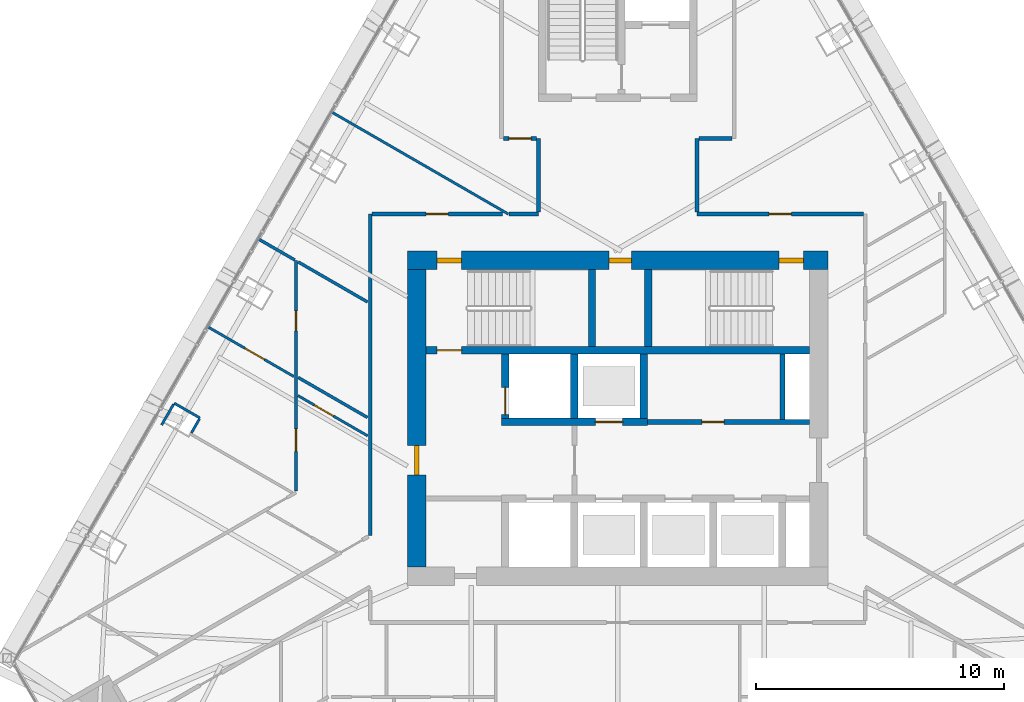
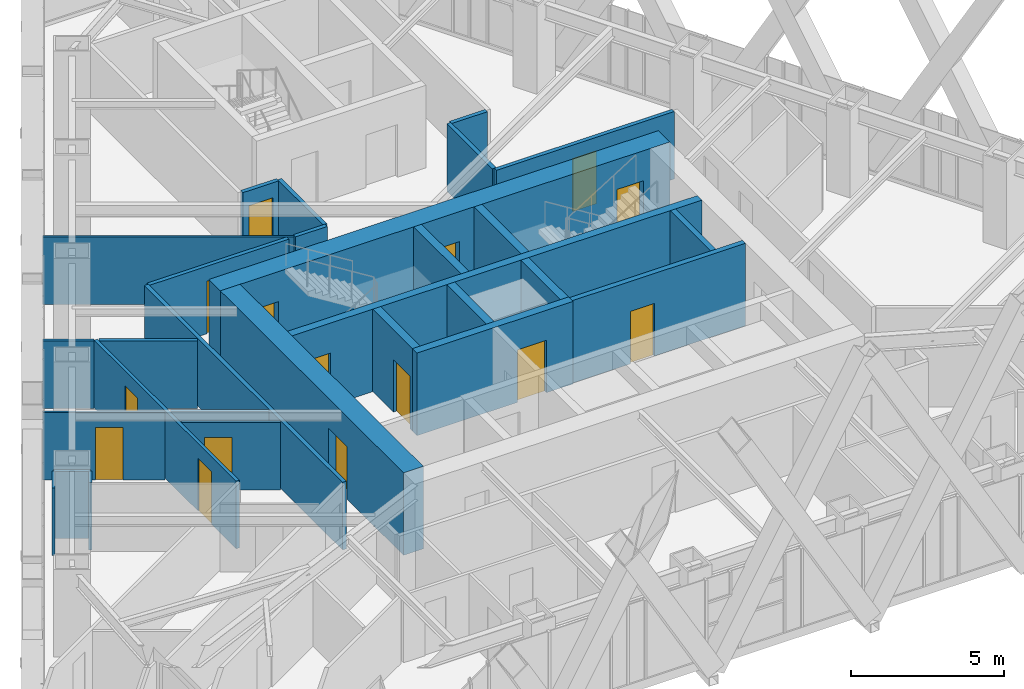
# One storey, part 19 of 23: 29 walls, 15 doors, 15 openings.
"""IFC4 building model written with IfcOpenShell, lengths in metres."""

from ifc_helpers import new_model, si_unit, direction, frame, frame_2d, origin, place, context, subcontext, project, spatial, rectangle, extrude, material, layer, layer_set, type_object, element, fill, save


model = new_model("IFC4")

# Units and contexts
model_context = context("Model", 3, precision=1e-05, world=origin(), true_north=direction((0.0, 1.0)))
body_context = subcontext(model_context, "Body", "Model", "MODEL_VIEW")
ifc_project = project(units=[si_unit("LENGTHUNIT", "METRE"), si_unit("AREAUNIT", "SQUARE_METRE"), si_unit("VOLUMEUNIT", "CUBIC_METRE"), si_unit("PLANEANGLEUNIT", "RADIAN"), si_unit("MASSUNIT", "GRAM", prefix="KILO")], contexts=[model_context])

# Site, building, storey
site_placement = place(None, origin())
site = spatial("IfcSite", under=ifc_project, at=site_placement, CompositionType="ELEMENT")
building_placement = place(site_placement, origin())
building = spatial("IfcBuilding", under=site, at=building_placement, Name="Firuza Gate Tower and Library", CompositionType="ELEMENT")
storey_placement = place(building_placement, frame((0.0, 0.0, 312.60009765625)))
storey = spatial("IfcBuildingStorey", under=building, at=storey_placement, Name="L76", CompositionType="ELEMENT", Elevation=312.60009765625)

# Wall, opening, door
ifc_material_1 = material(Name="Plasterboard on steel studs", Category="steel")
ifc_layer_1 = layer(ifc_material_1, 0.199951171875)
ifc_layer_set_1 = layer_set([ifc_layer_1], Name="Core partition 200 EI 120")
wall_type_1 = type_object("IfcWallType", Name="Core partition 200 EI 120", PredefinedType="PARTITIONING", material=ifc_layer_set_1)
wall_1_placement = place(storey_placement, frame((76.199951171875, 74.85009765625, 0.0), z_axis=(0.0, 0.0, 1.0), x_axis=(1.0, 0.0, 0.0)))
wall_1 = element("IfcWall", 1, at=wall_1_placement, inside=storey, type_object=wall_type_1, Name="Core partition L76 3", PredefinedType="PARTITIONING", context=body_context, shape_type="SweptSolid", body=[
    extrude(rectangle(XDim=6.550048828125, YDim=0.199951171875, at=frame_2d((3.27490234375, 0.0))), origin(), (0.0, 0.0, 1.0), 3.2998046875),
])
opening_1_placement = place(wall_1_placement, frame((2.199951171875, 0.0, 0.0)))
opening_1 = element("IfcOpeningElement", 2, at=opening_1_placement, cuts=wall_1, Name="Opening L76-K18", PredefinedType="OPENING", context=body_context, shape_type="SweptSolid", body=[
    extrude(rectangle(XDim=0.89990234375, YDim=2.10009765625, at=frame_2d((0.449951171875, 1.050048828125))), frame((0.0, 0.10986328125, 0.0), z_axis=(0.0, -1.0, 0.0), x_axis=(1.0, 0.0, 0.0)), (0.0, 0.0, 1.0), 0.219970703125),
])
ifc_material_2 = material(Name="Steel", Category="steel")
door_type_1 = type_object("IfcDoorType", Name="Fire door 900x2100 FD30S", OperationType="NOTDEFINED", PredefinedType="DOOR", material=ifc_material_2)
door_1_placement = place(opening_1_placement, origin())
door_1 = element("IfcDoor", 3, at=door_1_placement, inside=storey, type_object=door_type_1, Name="Door L76-K18", OperationType="SINGLE_SWING_LEFT", OverallHeight=2.10009765625, OverallWidth=0.89990234375, PredefinedType="DOOR", context=body_context, shape_type="SweptSolid", body=[
    extrude(rectangle(XDim=0.89990234375, YDim=2.10009765625, at=frame_2d((0.449951171875, 1.050048828125))), frame((0.0, 0.02490234375, 0.0), z_axis=(0.0, -1.0, 0.0), x_axis=(1.0, 0.0, 0.0)), (0.0, 0.0, 1.0), 0.050048828125),
])
fill(opening_1, door_1)

# Wall
wall_2_placement = place(storey_placement, frame((81.64990234375, 74.949951171875, 0.0), z_axis=(0.0, 0.0, 1.0), x_axis=(0.0, 1.0, 0.0)))
element("IfcWall", 4, at=wall_2_placement, inside=storey, type_object=wall_type_1, Name="Core partition L76 5", PredefinedType="PARTITIONING", context=body_context, shape_type="SweptSolid", body=[
    extrude(rectangle(XDim=2.650146484375, YDim=0.199951171875, at=frame_2d((1.3251953125, 0.0))), origin(), (0.0, 0.0, 1.0), 3.2998046875),
])

# Wall, opening, door
ifc_material_3 = material(Name="Concrete C60/75", Category="concrete")
ifc_layer_2 = layer(ifc_material_3, 0.300048828125)
ifc_layer_set_2 = layer_set([ifc_layer_2], Name="Core wall 300 C60/75")
wall_type_2 = type_object("IfcWallType", Name="Core wall 300 C60/75", PredefinedType="SHEAR", material=ifc_layer_set_2)
wall_3_placement = place(storey_placement, frame((70.300048828125, 74.85009765625, 0.0), z_axis=(0.0, 0.0, 1.0), x_axis=(1.0, 0.0, 0.0)))
wall_3 = element("IfcWall", 5, at=wall_3_placement, inside=storey, type_object=wall_type_2, Name="Core wall L76 6", PredefinedType="SHEAR", context=body_context, shape_type="SweptSolid", body=[
    extrude(rectangle(XDim=5.89990234375, YDim=0.300048828125, at=frame_2d((2.949951171875, 0.0))), origin(), (0.0, 0.0, 1.0), 3.2998046875),
])
opening_2_placement = place(wall_3_placement, frame((3.800048828125, 0.0, 0.0)))
opening_2 = element("IfcOpeningElement", 6, at=opening_2_placement, cuts=wall_3, Name="Opening LD-HR4-L76", PredefinedType="OPENING", context=body_context, shape_type="SweptSolid", body=[
    extrude(rectangle(XDim=1.10009765625, YDim=2.10009765625, at=frame_2d((0.550048828125, 1.050048828125))), frame((0.0, 0.16015625, 0.0), z_axis=(0.0, -1.0, 0.0), x_axis=(1.0, 0.0, 0.0)), (0.0, 0.0, 1.0), 0.320068359375),
])
ifc_material_4 = material(Name="Stainless steel", Category="steel")
door_type_2 = type_object("IfcDoorType", Name="Lift landing door 1100x2100", OperationType="DOUBLE_DOOR_SLIDING", PredefinedType="DOOR", material=ifc_material_4)
door_2_placement = place(opening_2_placement, origin())
door_2 = element("IfcDoor", 7, at=door_2_placement, inside=storey, type_object=door_type_2, Name="Landing door HR4 L76", OperationType="DOUBLE_DOOR_SLIDING", OverallHeight=2.10009765625, OverallWidth=1.10009765625, PredefinedType="DOOR", context=body_context, shape_type="SweptSolid", body=[
    extrude(rectangle(XDim=1.10009765625, YDim=2.10009765625, at=frame_2d((0.550048828125, 1.050048828125))), frame((0.0, 0.02490234375, 0.0), z_axis=(0.0, -1.0, 0.0), x_axis=(1.0, 0.0, 0.0)), (0.0, 0.0, 1.0), 0.050048828125),
])
fill(opening_2, door_2)

wall_4_placement = place(storey_placement, frame((70.449951171875, 75.0, 0.0), z_axis=(0.0, 0.0, 1.0), x_axis=(0.0, 1.0, 0.0)))
wall_4 = element("IfcWall", 8, at=wall_4_placement, inside=storey, type_object=wall_type_2, Name="Core wall L76 8", PredefinedType="SHEAR", context=body_context, shape_type="SweptSolid", body=[
    extrude(rectangle(XDim=2.60009765625, YDim=0.300048828125, at=frame_2d((1.300048828125, 0.0))), origin(), (0.0, 0.0, 1.0), 3.2998046875),
])
opening_3_placement = place(wall_4_placement, frame((0.14990234375, 0.0, 0.0)))
opening_3 = element("IfcOpeningElement", 9, at=opening_3_placement, cuts=wall_4, Name="Opening LD-FF2-L76", PredefinedType="OPENING", context=body_context, shape_type="SweptSolid", body=[
    extrude(rectangle(XDim=1.10009765625, YDim=2.10009765625, at=frame_2d((0.550048828125, 1.050048828125))), frame((0.0, 0.16015625, 0.0), z_axis=(0.0, -1.0, 0.0), x_axis=(1.0, 0.0, 0.0)), (0.0, 0.0, 1.0), 0.320068359375),
])
door_3_placement = place(opening_3_placement, origin())
door_3 = element("IfcDoor", 10, at=door_3_placement, inside=storey, type_object=door_type_2, Name="Landing door FF2 L76", OperationType="DOUBLE_DOOR_SLIDING", OverallHeight=2.10009765625, OverallWidth=1.10009765625, PredefinedType="DOOR", context=body_context, shape_type="SweptSolid", body=[
    extrude(rectangle(XDim=1.10009765625, YDim=2.10009765625, at=frame_2d((0.550048828125, 1.050048828125))), frame((0.0, 0.02490234375, 0.0), z_axis=(0.0, -1.0, 0.0), x_axis=(1.0, 0.0, 0.0)), (0.0, 0.0, 1.0), 0.050048828125),
])
fill(opening_3, door_3)

# Walls
for number, where, z_axis, x_axis, name in (
    (11, (73.25, 75.0, 0.0), (0.0, 0.0, 1.0), (0.0, 1.0, 0.0), "Core wall L76 10"),
    (12, (76.050048828125, 75.0, 0.0), (0.0, 0.0, 1.0), (0.0, 1.0, 0.0), "Core wall L76 12"),
):
    element("IfcWall", number, at=place(storey_placement, frame(where, z_axis=z_axis, x_axis=x_axis)), inside=storey, type_object=wall_type_2, Name=name, PredefinedType="SHEAR", context=body_context, shape_type="SweptSolid", body=[
        extrude(rectangle(XDim=2.60009765625, YDim=0.300048828125, at=frame_2d((1.300048828125, 0.0))), origin(), (0.0, 0.0, 1.0), 3.2998046875),
    ])

# Wall, opening, door
wall_5_placement = place(storey_placement, frame((67.25, 77.75, 0.0), z_axis=(0.0, 0.0, 1.0), x_axis=(1.0, 0.0, 0.0)))
wall_5 = element("IfcWall", 13, at=wall_5_placement, inside=storey, type_object=wall_type_2, Name="Core wall L76 15", PredefinedType="SHEAR", context=body_context, shape_type="SweptSolid", body=[
    extrude(rectangle(XDim=15.5, YDim=0.300048828125, at=frame_2d((7.75, 0.0))), origin(), (0.0, 0.0, 1.0), 3.2998046875),
])
opening_4_placement = place(wall_5_placement, frame((0.445068359375, 0.0, 0.0)))
opening_4 = element("IfcOpeningElement", 14, at=opening_4_placement, cuts=wall_5, Name="Opening L76-K08", PredefinedType="OPENING", context=body_context, shape_type="SweptSolid", body=[
    extrude(rectangle(XDim=1.0, YDim=2.10009765625, at=frame_2d((0.5, 1.050048828125))), frame((0.0, 0.16015625, 0.0), z_axis=(0.0, -1.0, 0.0), x_axis=(1.0, 0.0, 0.0)), (0.0, 0.0, 1.0), 0.320068359375),
])
ifc_material_5 = material(Name="Steel", Category="steel")
door_type_3 = type_object("IfcDoorType", Name="Fire door 1000x2100 FD90", OperationType="NOTDEFINED", PredefinedType="DOOR", material=ifc_material_5)
door_4_placement = place(opening_4_placement, origin())
door_4 = element("IfcDoor", 15, at=door_4_placement, inside=storey, type_object=door_type_3, Name="Door L76-K08", OperationType="SINGLE_SWING_LEFT", OverallHeight=2.10009765625, OverallWidth=1.0, PredefinedType="DOOR", context=body_context, shape_type="SweptSolid", body=[
    extrude(rectangle(XDim=1.0, YDim=2.10009765625, at=frame_2d((0.5, 1.050048828125))), frame((0.0, 0.02490234375, 0.0), z_axis=(0.0, -1.0, 0.0), x_axis=(1.0, 0.0, 0.0)), (0.0, 0.0, 1.0), 0.050048828125),
])
fill(opening_4, door_4)

# Walls
for number, where, z_axis, x_axis, name in (
    (16, (73.9599609375, 77.89990234375, 0.0), (0.0, 0.0, 1.0), (0.0, 1.0, 0.0), "Core wall L76 16"),
    (17, (76.239990234375, 77.89990234375, 0.0), (0.0, 0.0, 1.0), (0.0, 1.0, 0.0), "Core wall L76 17"),
):
    element("IfcWall", number, at=place(storey_placement, frame(where, z_axis=z_axis, x_axis=x_axis)), inside=storey, type_object=wall_type_2, Name=name, PredefinedType="SHEAR", context=body_context, shape_type="SweptSolid", body=[
        extrude(rectangle(XDim=3.10009765625, YDim=0.300048828125, at=frame_2d((1.550048828125, 0.0))), origin(), (0.0, 0.0, 1.0), 3.2998046875),
    ])

# Wall, openings, doors
ifc_material_6 = material(Name="Concrete C60/75", Category="concrete")
ifc_layer_3 = layer(ifc_material_6, 0.75)
ifc_layer_set_3 = layer_set([ifc_layer_3], Name="Core wall 750 C60/75")
wall_type_3 = type_object("IfcWallType", Name="Core wall 750 C60/75", PredefinedType="SHEAR", material=ifc_layer_set_3)
wall_6_placement = place(storey_placement, frame((66.5, 81.375, 0.0), z_axis=(0.0, 0.0, 1.0), x_axis=(1.0, 0.0, 0.0)))
wall_6 = element("IfcWall", 18, at=wall_6_placement, inside=storey, type_object=wall_type_3, Name="Core wall L76 2", PredefinedType="SHEAR", context=body_context, shape_type="SweptSolid", body=[
    extrude(rectangle(XDim=17.0, YDim=0.75, at=frame_2d((8.5, 0.0))), origin(), (0.0, 0.0, 1.0), 3.2998046875),
])
opening_5_placement = place(wall_6_placement, frame((1.195068359375, 0.0, 0.0)))
opening_5 = element("IfcOpeningElement", 19, at=opening_5_placement, cuts=wall_6, Name="Opening L76-K09", PredefinedType="OPENING", context=body_context, shape_type="SweptSolid", body=[
    extrude(rectangle(XDim=1.0, YDim=2.10009765625, at=frame_2d((0.5, 1.050048828125))), frame((0.0, 0.385009765625, 0.0), z_axis=(0.0, -1.0, 0.0), x_axis=(1.0, 0.0, 0.0)), (0.0, 0.0, 1.0), 0.77001953125),
])
opening_6_placement = place(wall_6_placement, frame((15.0048828125, 0.0, 0.0)))
opening_6 = element("IfcOpeningElement", 20, at=opening_6_placement, cuts=wall_6, Name="Opening L76-K10", PredefinedType="OPENING", context=body_context, shape_type="SweptSolid", body=[
    extrude(rectangle(XDim=1.0, YDim=2.10009765625, at=frame_2d((0.5, 1.050048828125))), frame((0.0, 0.385009765625, 0.0), z_axis=(0.0, -1.0, 0.0), x_axis=(1.0, 0.0, 0.0)), (0.0, 0.0, 1.0), 0.77001953125),
])
opening_7_placement = place(wall_6_placement, frame((8.14990234375, 0.0, 0.0)))
opening_7 = element("IfcOpeningElement", 21, at=opening_7_placement, cuts=wall_6, Name="Opening L76-K19", PredefinedType="OPENING", context=body_context, shape_type="SweptSolid", body=[
    extrude(rectangle(XDim=0.89990234375, YDim=2.10009765625, at=frame_2d((0.449951171875, 1.050048828125))), frame((0.0, 0.385009765625, 0.0), z_axis=(0.0, -1.0, 0.0), x_axis=(1.0, 0.0, 0.0)), (0.0, 0.0, 1.0), 0.77001953125),
])
door_5_placement = place(opening_5_placement, origin())
door_5 = element("IfcDoor", 22, at=door_5_placement, inside=storey, type_object=door_type_3, Name="Door L76-K09", OperationType="SINGLE_SWING_RIGHT", OverallHeight=2.10009765625, OverallWidth=1.0, PredefinedType="DOOR", context=body_context, shape_type="SweptSolid", body=[
    extrude(rectangle(XDim=1.0, YDim=2.10009765625, at=frame_2d((0.5, 1.050048828125))), frame((0.0, 0.094970703125, 0.0), z_axis=(0.0, -1.0, 0.0), x_axis=(1.0, 0.0, 0.0)), (0.0, 0.0, 1.0), 0.18994140625),
])
fill(opening_5, door_5)
door_6_placement = place(opening_6_placement, origin())
door_6 = element("IfcDoor", 23, at=door_6_placement, inside=storey, type_object=door_type_3, Name="Door L76-K10", OperationType="SINGLE_SWING_LEFT", OverallHeight=2.10009765625, OverallWidth=1.0, PredefinedType="DOOR", context=body_context, shape_type="SweptSolid", body=[
    extrude(rectangle(XDim=1.0, YDim=2.10009765625, at=frame_2d((0.5, 1.050048828125))), frame((0.0, 0.094970703125, 0.0), z_axis=(0.0, -1.0, 0.0), x_axis=(1.0, 0.0, 0.0)), (0.0, 0.0, 1.0), 0.18994140625),
])
fill(opening_6, door_6)
door_7_placement = place(opening_7_placement, origin())
door_7 = element("IfcDoor", 24, at=door_7_placement, inside=storey, type_object=door_type_1, Name="Door L76-K19", OperationType="SINGLE_SWING_RIGHT", OverallHeight=2.10009765625, OverallWidth=0.89990234375, PredefinedType="DOOR", context=body_context, shape_type="SweptSolid", body=[
    extrude(rectangle(XDim=0.89990234375, YDim=2.10009765625, at=frame_2d((0.449951171875, 1.050048828125))), frame((0.0, 0.094970703125, 0.0), z_axis=(0.0, -1.0, 0.0), x_axis=(1.0, 0.0, 0.0)), (0.0, 0.0, 1.0), 0.18994140625),
])
fill(opening_7, door_7)

# Wall, opening, door
wall_7_placement = place(storey_placement, frame((66.875, 69.0, 0.0), z_axis=(0.0, 0.0, 1.0), x_axis=(0.0, 1.0, 0.0)))
wall_7 = element("IfcWall", 25, at=wall_7_placement, inside=storey, type_object=wall_type_3, Name="Core wall L76 3", PredefinedType="SHEAR", context=body_context, shape_type="SweptSolid", body=[
    extrude(rectangle(XDim=12.0, YDim=0.75, at=frame_2d((6.0, 0.0))), origin(), (0.0, 0.0, 1.0), 3.2998046875),
])
opening_8_placement = place(wall_7_placement, frame((3.699951171875, 0.0, 0.0)))
opening_8 = element("IfcOpeningElement", 26, at=opening_8_placement, cuts=wall_7, Name="Opening L76-K15", PredefinedType="OPENING", context=body_context, shape_type="SweptSolid", body=[
    extrude(rectangle(XDim=1.199951171875, YDim=2.10009765625, at=frame_2d((0.60009765625, 1.050048828125))), frame((0.0, 0.385009765625, 0.0), z_axis=(0.0, -1.0, 0.0), x_axis=(1.0, 0.0, 0.0)), (0.0, 0.0, 1.0), 0.77001953125),
])
ifc_material_7 = material(Name="Steel", Category="steel")
door_type_4 = type_object("IfcDoorType", Name="Fire door 1200x2100 FD90S", OperationType="NOTDEFINED", PredefinedType="DOOR", material=ifc_material_7)
door_8_placement = place(opening_8_placement, origin())
door_8 = element("IfcDoor", 27, at=door_8_placement, inside=storey, type_object=door_type_4, Name="Door L76-K15", OperationType="SINGLE_SWING_RIGHT", OverallHeight=2.10009765625, OverallWidth=1.199951171875, PredefinedType="DOOR", context=body_context, shape_type="SweptSolid", body=[
    extrude(rectangle(XDim=1.199951171875, YDim=2.10009765625, at=frame_2d((0.60009765625, 1.050048828125))), frame((0.0, 0.094970703125, 0.0), z_axis=(0.0, -1.0, 0.0), x_axis=(1.0, 0.0, 0.0)), (0.0, 0.0, 1.0), 0.18994140625),
])
fill(opening_8, door_8)

ifc_material_8 = material(Name="Gypsum board partition")
ifc_layer_4 = layer(ifc_material_8, 0.14990234375)
ifc_layer_set_4 = layer_set([ifc_layer_4], Name="Corridor wall 150 double board on steel studs")
wall_type_4 = type_object("IfcWallType", Name="Corridor wall 150 double board on steel studs", PredefinedType="PARTITIONING", material=ifc_layer_set_4)
wall_8_placement = place(storey_placement, frame((65.075439453125, 83.25, 0.0), z_axis=(0.0, 0.0, 1.0), x_axis=(1.0, 0.0, 0.0)))
wall_8 = element("IfcWall", 28, at=wall_8_placement, inside=storey, type_object=wall_type_4, Name="f:L76:w005", PredefinedType="PARTITIONING", context=body_context, shape_type="SweptSolid", body=[
    extrude(rectangle(XDim=5.271484375, YDim=0.14990234375, at=frame_2d((2.6357421875, 0.0))), origin(), (0.0, 0.0, 1.0), 2.699951171875),
])
opening_9_placement = place(wall_8_placement, frame((2.185791015625, 0.0, 0.0)))
opening_9 = element("IfcOpeningElement", 29, at=opening_9_placement, cuts=wall_8, Name="Opening L76-06", PredefinedType="OPENING", context=body_context, shape_type="SweptSolid", body=[
    extrude(rectangle(XDim=0.89990234375, YDim=2.10009765625, at=frame_2d((0.449951171875, 1.050048828125))), frame((0.0, 0.0849609375, 0.0), z_axis=(0.0, -1.0, 0.0), x_axis=(1.0, 0.0, 0.0)), (0.0, 0.0, 1.0), 0.169921875),
])
ifc_material_9 = material(Name="Steel door and timber leaf", Category="steel")
door_type_5 = type_object("IfcDoorType", Name="Fire door 900 x 2100 steel frame, timber leaf", OperationType="NOTDEFINED", PredefinedType="DOOR", material=ifc_material_9)
door_9_placement = place(opening_9_placement, origin())
door_9 = element("IfcDoor", 30, at=door_9_placement, inside=storey, type_object=door_type_5, Name="f:L76:d006", OperationType="SINGLE_SWING_RIGHT", OverallHeight=2.10009765625, OverallWidth=0.89990234375, PredefinedType="DOOR", context=body_context, shape_type="SweptSolid", body=[
    extrude(rectangle(XDim=0.89990234375, YDim=2.10009765625, at=frame_2d((0.449951171875, 1.050048828125))), frame((0.0, 0.02490234375, 0.0), z_axis=(0.0, -1.0, 0.0), x_axis=(1.0, 0.0, 0.0)), (0.0, 0.0, 1.0), 0.050048828125),
])
fill(opening_9, door_9)

wall_9_placement = place(storey_placement, frame((78.199951171875, 83.25, 0.0), z_axis=(0.0, 0.0, 1.0), x_axis=(1.0, 0.0, 0.0)))
wall_9 = element("IfcWall", 31, at=wall_9_placement, inside=storey, type_object=wall_type_4, Name="f:L76:w006", PredefinedType="PARTITIONING", context=body_context, shape_type="SweptSolid", body=[
    extrude(rectangle(XDim=6.72314453125, YDim=0.14990234375, at=frame_2d((3.361572265625, 0.0))), origin(), (0.0, 0.0, 1.0), 2.699951171875),
])
opening_10_placement = place(wall_9_placement, frame((2.911376953125, 0.0, 0.0)))
opening_10 = element("IfcOpeningElement", 32, at=opening_10_placement, cuts=wall_9, Name="Opening L76-07", PredefinedType="OPENING", context=body_context, shape_type="SweptSolid", body=[
    extrude(rectangle(XDim=0.89990234375, YDim=2.10009765625, at=frame_2d((0.449951171875, 1.050048828125))), frame((0.0, 0.0849609375, 0.0), z_axis=(0.0, -1.0, 0.0), x_axis=(1.0, 0.0, 0.0)), (0.0, 0.0, 1.0), 0.169921875),
])
door_10_placement = place(opening_10_placement, origin())
door_10 = element("IfcDoor", 33, at=door_10_placement, inside=storey, type_object=door_type_5, Name="f:L76:d007", OperationType="SINGLE_SWING_RIGHT", OverallHeight=2.10009765625, OverallWidth=0.89990234375, PredefinedType="DOOR", context=body_context, shape_type="SweptSolid", body=[
    extrude(rectangle(XDim=0.89990234375, YDim=2.10009765625, at=frame_2d((0.449951171875, 1.050048828125))), frame((0.0, 0.02490234375, 0.0), z_axis=(0.0, -1.0, 0.0), x_axis=(1.0, 0.0, 0.0)), (0.0, 0.0, 1.0), 0.050048828125),
])
fill(opening_10, door_10)

wall_10_placement = place(storey_placement, frame((70.37548828125, 86.300048828125, 0.0), z_axis=(0.0, 0.0, 1.0), x_axis=(1.0, 0.0, 0.0)))
wall_10 = element("IfcWall", 34, at=wall_10_placement, inside=storey, type_object=wall_type_4, Name="f:L76:w007", PredefinedType="PARTITIONING", context=body_context, shape_type="SweptSolid", body=[
    extrude(rectangle(XDim=1.349365234375, YDim=0.14990234375, at=frame_2d((0.6748046875, 0.0))), origin(), (0.0, 0.0, 1.0), 2.699951171875),
])
opening_11_placement = place(wall_10_placement, frame((0.224609375, 0.0, 0.0)))
opening_11 = element("IfcOpeningElement", 35, at=opening_11_placement, cuts=wall_10, Name="Opening L76-08", PredefinedType="OPENING", context=body_context, shape_type="SweptSolid", body=[
    extrude(rectangle(XDim=0.89990234375, YDim=2.10009765625, at=frame_2d((0.449951171875, 1.050048828125))), frame((0.0, 0.0849609375, 0.0), z_axis=(0.0, -1.0, 0.0), x_axis=(1.0, 0.0, 0.0)), (0.0, 0.0, 1.0), 0.169921875),
])
door_11_placement = place(opening_11_placement, origin())
door_11 = element("IfcDoor", 36, at=door_11_placement, inside=storey, type_object=door_type_5, Name="f:L76:d008", OperationType="SINGLE_SWING_LEFT", OverallHeight=2.10009765625, OverallWidth=0.89990234375, PredefinedType="DOOR", context=body_context, shape_type="SweptSolid", body=[
    extrude(rectangle(XDim=0.89990234375, YDim=2.10009765625, at=frame_2d((0.449951171875, 1.050048828125))), frame((0.0, 0.02490234375, 0.0), z_axis=(0.0, -1.0, 0.0), x_axis=(1.0, 0.0, 0.0)), (0.0, 0.0, 1.0), 0.050048828125),
])
fill(opening_11, door_11)

# Walls
wall_11_placement = place(storey_placement, frame((78.275146484375, 86.300048828125, 0.0), z_axis=(0.0, 0.0, 1.0), x_axis=(1.0, 0.0, 0.0)))
element("IfcWall", 37, at=wall_11_placement, inside=storey, type_object=wall_type_4, Name="f:L76:w008", PredefinedType="PARTITIONING", context=body_context, shape_type="SweptSolid", body=[
    extrude(rectangle(XDim=1.347900390625, YDim=0.14990234375, at=frame_2d((0.673828125, 0.0))), origin(), (0.0, 0.0, 1.0), 2.699951171875),
])
for number, where, z_axis, x_axis, name in (
    (38, (78.199951171875, 83.324951171875, 0.0), (0.0, 0.0, 1.0), (0.0, 1.0, 0.0), "f:L76:w036"),
    (39, (71.800048828125, 83.324951171875, 0.0), (0.0, 0.0, 1.0), (0.0, 1.0, 0.0), "f:L76:w039"),
):
    element("IfcWall", number, at=place(storey_placement, frame(where, z_axis=z_axis, x_axis=x_axis)), inside=storey, type_object=wall_type_4, Name=name, PredefinedType="PARTITIONING", context=body_context, shape_type="SweptSolid", body=[
        extrude(rectangle(XDim=2.97509765625, YDim=0.14990234375, at=frame_2d((1.487548828125, 0.0))), origin(), (0.0, 0.0, 1.0), 2.699951171875),
    ])
wall_12_placement = place(storey_placement, frame((65.0, 70.265625, 0.0), z_axis=(0.0, 0.0, 1.0), x_axis=(0.0, 1.0, 0.0)))
element("IfcWall", 40, at=wall_12_placement, inside=storey, type_object=wall_type_4, Name="f:L76:w046", PredefinedType="PARTITIONING", context=body_context, shape_type="SweptSolid", body=[
    extrude(rectangle(XDim=12.98388671875, YDim=0.14990234375, at=frame_2d((6.491943359375, 0.0))), origin(), (0.0, 0.0, 1.0), 2.699951171875),
])
wall_13_placement = place(storey_placement, frame((70.60205078125, 83.25, 0.0), z_axis=(0.0, 0.0, 1.0), x_axis=(1.0, 0.0, 0.0)))
element("IfcWall", 41, at=wall_13_placement, inside=storey, type_object=wall_type_4, Name="f:L76:w065", PredefinedType="PARTITIONING", context=body_context, shape_type="SweptSolid", body=[
    extrude(rectangle(XDim=1.197998046875, YDim=0.14990234375, at=frame_2d((0.59912109375, 0.0))), origin(), (0.0, 0.0, 1.0), 2.699951171875),
])
ifc_material_10 = material(Name="Gypsum board partition")
ifc_layer_5 = layer(ifc_material_10, 0.10009765625)
ifc_layer_set_5 = layer_set([ifc_layer_5], Name="Partition 100 gypsum board on steel studs")
wall_type_5 = type_object("IfcWallType", Name="Partition 100 gypsum board on steel studs", PredefinedType="PARTITIONING", material=ifc_layer_set_5)
wall_14_placement = place(storey_placement, frame((57.775634765625, 74.406494140625, 0.0), z_axis=(0.0, 0.0, 1.0), x_axis=(0.500246099629, 0.865883271467, 0.0)))
element("IfcWall", 42, at=wall_14_placement, inside=storey, type_object=wall_type_5, Name="f:L76:w024", PredefinedType="PARTITIONING", context=body_context, shape_type="SweptSolid", body=[
    extrude(rectangle(XDim=0.645751953125, YDim=0.10009765625, at=frame_2d((0.32275390625, 0.0))), origin(), (0.0, 0.0, 1.0), 2.699951171875),
])
wall_15_placement = place(storey_placement, frame((56.576171875, 74.72900390625, 0.0), z_axis=(0.0, 0.0, 1.0), x_axis=(0.500079715141, 0.865979375335, 0.0)))
element("IfcWall", 43, at=wall_15_placement, inside=storey, type_object=wall_type_5, Name="f:L76:w025", PredefinedType="PARTITIONING", context=body_context, shape_type="SweptSolid", body=[
    extrude(rectangle(XDim=0.966064453125, YDim=0.10009765625, at=frame_2d((0.48291015625, 0.0))), origin(), (0.0, 0.0, 1.0), 2.699951171875),
])
wall_16_placement = place(storey_placement, frame((70.5771484375, 83.249755859375, 0.0), z_axis=(0.0, 0.0, 1.0), x_axis=(-0.866020477552, 0.500008532388, 0.0)))
element("IfcWall", 44, at=wall_16_placement, inside=storey, type_object=wall_type_5, Name="f:L76:w051", PredefinedType="PARTITIONING", context=body_context, shape_type="SweptSolid", body=[
    extrude(rectangle(XDim=8.224365234375, YDim=0.10009765625, at=frame_2d((4.1123046875, 0.0))), origin(), (0.0, 0.0, 1.0), 2.68798828125),
])

# Wall, opening, door
wall_17_placement = place(storey_placement, frame((58.447021484375, 78.688720703125, 0.0), z_axis=(0.0, 0.0, 1.0), x_axis=(0.866035275801, -0.499982900776, 0.0)))
wall_17 = element("IfcWall", 45, at=wall_17_placement, inside=storey, type_object=wall_type_5, Name="f:L76:w059", PredefinedType="PARTITIONING", context=body_context, shape_type="SweptSolid", body=[
    extrude(rectangle(XDim=4.003173828125, YDim=0.10009765625, at=frame_2d((2.00146484375, 0.0))), origin(), (0.0, 0.0, 1.0), 2.68798828125),
])
opening_12_placement = place(wall_17_placement, frame((1.731689453125, 0.0, 0.0)))
opening_12 = element("IfcOpeningElement", 46, at=opening_12_placement, cuts=wall_17, Name="Opening L76-25", PredefinedType="OPENING", context=body_context, shape_type="SweptSolid", body=[
    extrude(rectangle(XDim=0.89990234375, YDim=2.10009765625, at=frame_2d((0.449951171875, 1.050048828125))), frame((0.0, 0.06005859375, 0.0), z_axis=(0.0, -1.0, 0.0), x_axis=(1.0, 0.0, 0.0)), (0.0, 0.0, 1.0), 0.1201171875),
])
ifc_material_11 = material(Name="Timber door", Category="wood")
door_type_6 = type_object("IfcDoorType", Name="Door 900 x 2100 timber leaf", OperationType="NOTDEFINED", PredefinedType="DOOR", material=ifc_material_11)
door_12_placement = place(opening_12_placement, origin())
door_12 = element("IfcDoor", 47, at=door_12_placement, inside=storey, type_object=door_type_6, Name="f:L76:d025", OperationType="SINGLE_SWING_LEFT", OverallHeight=2.10009765625, OverallWidth=0.89990234375, PredefinedType="DOOR", context=body_context, shape_type="SweptSolid", body=[
    extrude(rectangle(XDim=0.89990234375, YDim=2.10009765625, at=frame_2d((0.449951171875, 1.050048828125))), frame((0.0, 0.02490234375, 0.0), z_axis=(0.0, -1.0, 0.0), x_axis=(1.0, 0.0, 0.0)), (0.0, 0.0, 1.0), 0.050048828125),
])
fill(opening_12, door_12)

wall_18_placement = place(storey_placement, frame((62.0859375, 75.912353515625, 0.0), z_axis=(0.0, 0.0, 1.0), x_axis=(0.866032882975, -0.499987045439, 0.0)))
wall_18 = element("IfcWall", 48, at=wall_18_placement, inside=storey, type_object=wall_type_5, Name="f:L76:w060", PredefinedType="PARTITIONING", context=body_context, shape_type="SweptSolid", body=[
    extrude(rectangle(XDim=3.248046875, YDim=0.10009765625, at=frame_2d((1.6240234375, 0.0))), origin(), (0.0, 0.0, 1.0), 2.699951171875),
])
opening_13_placement = place(wall_18_placement, frame((0.75439453125, 0.0, 0.0)))
opening_13 = element("IfcOpeningElement", 49, at=opening_13_placement, cuts=wall_18, Name="Opening L76-26", PredefinedType="OPENING", context=body_context, shape_type="SweptSolid", body=[
    extrude(rectangle(XDim=0.89990234375, YDim=2.10009765625, at=frame_2d((0.449951171875, 1.050048828125))), frame((0.0, 0.06005859375, 0.0), z_axis=(0.0, -1.0, 0.0), x_axis=(1.0, 0.0, 0.0)), (0.0, 0.0, 1.0), 0.1201171875),
])
door_13_placement = place(opening_13_placement, origin())
door_13 = element("IfcDoor", 50, at=door_13_placement, inside=storey, type_object=door_type_6, Name="f:L76:d026", OperationType="SINGLE_SWING_LEFT", OverallHeight=2.10009765625, OverallWidth=0.89990234375, PredefinedType="DOOR", context=body_context, shape_type="SweptSolid", body=[
    extrude(rectangle(XDim=0.89990234375, YDim=2.10009765625, at=frame_2d((0.449951171875, 1.050048828125))), frame((0.0, 0.02490234375, 0.0), z_axis=(0.0, -1.0, 0.0), x_axis=(1.0, 0.0, 0.0)), (0.0, 0.0, 1.0), 0.050048828125),
])
fill(opening_13, door_13)

# Wall
wall_19_placement = place(storey_placement, frame((58.12353515625, 75.009521484375, 0.0), z_axis=(0.0, 0.0, 1.0), x_axis=(-0.865978732077, 0.500080829057, 0.0)))
element("IfcWall", 51, at=wall_19_placement, inside=storey, type_object=wall_type_5, Name="f:L76:w061", PredefinedType="PARTITIONING", context=body_context, shape_type="SweptSolid", body=[
    extrude(rectangle(XDim=1.198974609375, YDim=0.10009765625, at=frame_2d((0.599609375, 0.0))), origin(), (0.0, 0.0, 1.0), 2.68798828125),
])

# Wall, openings, doors
ifc_material_12 = material(Name="Gypsum board partition")
ifc_layer_6 = layer(ifc_material_12, 0.1201171875)
ifc_layer_set_6 = layer_set([ifc_layer_6], Name="Wet-area partition 120 moisture-resistant board")
wall_type_6 = type_object("IfcWallType", Name="Wet-area partition 120 moisture-resistant board", PredefinedType="PARTITIONING", material=ifc_layer_set_6)
wall_20_placement = place(storey_placement, frame((62.0, 81.3662109375, 0.0), z_axis=(0.0, 0.0, 1.0), x_axis=(0.0, -1.0, 0.0)))
wall_20 = element("IfcWall", 52, at=wall_20_placement, inside=storey, type_object=wall_type_6, Name="f:L76:w047", PredefinedType="PARTITIONING", context=body_context, shape_type="SweptSolid", body=[
    extrude(rectangle(XDim=9.299072265625, YDim=0.1201171875, at=frame_2d((4.6494140625, 0.0))), origin(), (0.0, 0.0, 1.0), 2.699951171875),
])
opening_14_placement = place(wall_20_placement, frame((2.033447265625, 0.0, 0.0)))
opening_14 = element("IfcOpeningElement", 53, at=opening_14_placement, cuts=wall_20, Name="Opening L76-20", PredefinedType="OPENING", context=body_context, shape_type="SweptSolid", body=[
    extrude(rectangle(XDim=0.800048828125, YDim=2.10009765625, at=frame_2d((0.39990234375, 1.050048828125))), frame((0.0, 0.070068359375, 0.0), z_axis=(0.0, -1.0, 0.0), x_axis=(1.0, 0.0, 0.0)), (0.0, 0.0, 1.0), 0.14013671875),
])
opening_15_placement = place(wall_20_placement, frame((6.80029296875, 0.0, 0.0)))
opening_15 = element("IfcOpeningElement", 54, at=opening_15_placement, cuts=wall_20, Name="Opening L76-21", PredefinedType="OPENING", context=body_context, shape_type="SweptSolid", body=[
    extrude(rectangle(XDim=0.89990234375, YDim=2.10009765625, at=frame_2d((0.449951171875, 1.050048828125))), frame((0.0, 0.070068359375, 0.0), z_axis=(0.0, -1.0, 0.0), x_axis=(1.0, 0.0, 0.0)), (0.0, 0.0, 1.0), 0.14013671875),
])
ifc_material_13 = material(Name="Timber door", Category="wood")
door_type_7 = type_object("IfcDoorType", Name="Door 800 x 2100 timber leaf", OperationType="NOTDEFINED", PredefinedType="DOOR", material=ifc_material_13)
door_14_placement = place(opening_14_placement, origin())
door_14 = element("IfcDoor", 55, at=door_14_placement, inside=storey, type_object=door_type_7, Name="f:L76:d020", OperationType="SINGLE_SWING_RIGHT", OverallHeight=2.10009765625, OverallWidth=0.800048828125, PredefinedType="DOOR", context=body_context, shape_type="SweptSolid", body=[
    extrude(rectangle(XDim=0.800048828125, YDim=2.10009765625, at=frame_2d((0.39990234375, 1.050048828125))), frame((0.0, 0.02490234375, 0.0), z_axis=(0.0, -1.0, 0.0), x_axis=(1.0, 0.0, 0.0)), (0.0, 0.0, 1.0), 0.050048828125),
])
fill(opening_14, door_14)
door_15_placement = place(opening_15_placement, origin())
door_15 = element("IfcDoor", 56, at=door_15_placement, inside=storey, type_object=door_type_6, Name="f:L76:d021", OperationType="SINGLE_SWING_RIGHT", OverallHeight=2.10009765625, OverallWidth=0.89990234375, PredefinedType="DOOR", context=body_context, shape_type="SweptSolid", body=[
    extrude(rectangle(XDim=0.89990234375, YDim=2.10009765625, at=frame_2d((0.449951171875, 1.050048828125))), frame((0.0, 0.02490234375, 0.0), z_axis=(0.0, -1.0, 0.0), x_axis=(1.0, 0.0, 0.0)), (0.0, 0.0, 1.0), 0.050048828125),
])
fill(opening_15, door_15)

# Walls
wall_21_placement = place(storey_placement, frame((64.89013671875, 79.697265625, 0.0), z_axis=(0.0, 0.0, 1.0), x_axis=(-0.866013313631, 0.500020940175, 0.0)))
element("IfcWall", 57, at=wall_21_placement, inside=storey, type_object=wall_type_6, Name="f:L76:w055", PredefinedType="PARTITIONING", context=body_context, shape_type="SweptSolid", body=[
    extrude(rectangle(XDim=3.233154296875, YDim=0.1201171875, at=frame_2d((1.61669921875, 0.0))), origin(), (0.0, 0.0, 1.0), 2.699951171875),
])
wall_22_placement = place(storey_placement, frame((64.890380859375, 75.031005859375, 0.0), z_axis=(0.0, 0.0, 1.0), x_axis=(-0.866033195618, 0.499986503906, 0.0)))
element("IfcWall", 58, at=wall_22_placement, inside=storey, type_object=wall_type_6, Name="f:L76:w058", PredefinedType="PARTITIONING", context=body_context, shape_type="SweptSolid", body=[
    extrude(rectangle(XDim=3.22802734375, YDim=0.1201171875, at=frame_2d((1.614013671875, 0.0))), origin(), (0.0, 0.0, 1.0), 2.699951171875),
])
wall_23_placement = place(storey_placement, frame((61.954833984375, 81.39208984375, 0.0), z_axis=(0.0, 0.0, 1.0), x_axis=(-0.866033677446, 0.499985669323, 0.0)))
element("IfcWall", 59, at=wall_23_placement, inside=storey, type_object=wall_type_6, Name="f:L76:w066", PredefinedType="PARTITIONING", context=body_context, shape_type="SweptSolid", body=[
    extrude(rectangle(XDim=1.68603515625, YDim=0.1201171875, at=frame_2d((0.843017578125, 0.0))), origin(), (0.0, 0.0, 1.0), 2.68798828125),
])

save(model, "model.ifc")
